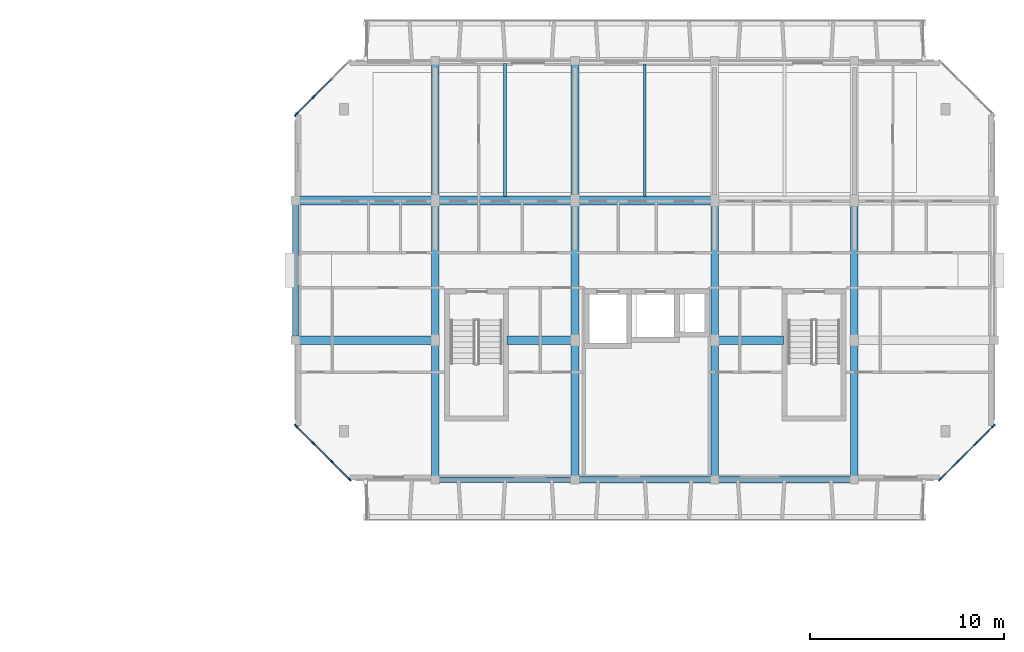
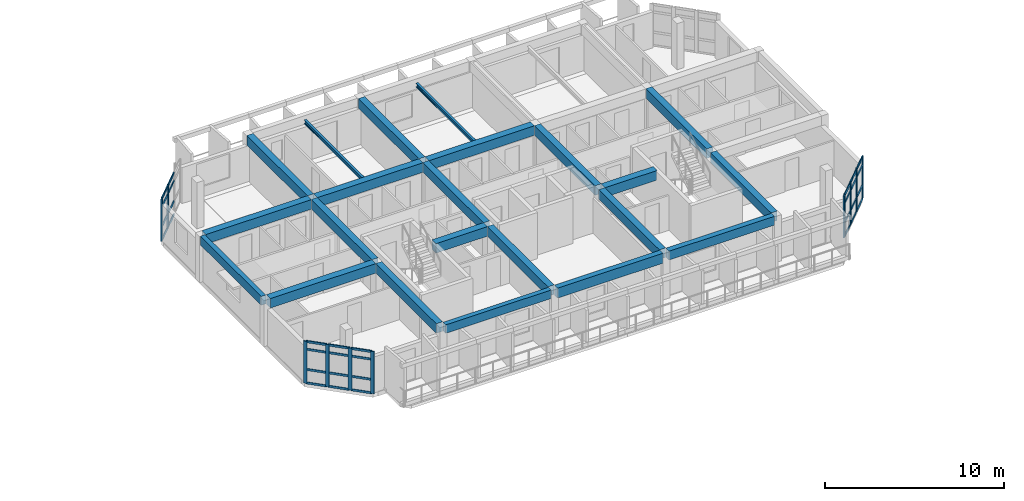
# One storey, part 7 of 31: 42 members, 22 beams, 3 elements without a shape of their own.
"""IFC4 building model written with IfcOpenShell, lengths in metres."""

from ifc_helpers import new_model, si_unit, direction, frame, origin, origin_2d, place, context, subcontext, project, spatial, rectangle, i_section, extrude, material, layer, layer_set, material_profile, profile_set, type_object, element, aggregate, save


model = new_model("IFC4")

# Units and contexts
model_context = context("Model", 3, precision=1e-05, world=origin(), true_north=direction((0.0, 1.0)))
body_context = subcontext(model_context, "Body", "Model", "MODEL_VIEW")
ifc_project = project(units=[si_unit("LENGTHUNIT", "METRE"), si_unit("AREAUNIT", "SQUARE_METRE"), si_unit("VOLUMEUNIT", "CUBIC_METRE"), si_unit("PLANEANGLEUNIT", "RADIAN"), si_unit("MASSUNIT", "GRAM", prefix="KILO")], contexts=[model_context])

# Site, building, storey
site_placement = place(None, origin())
site = spatial("IfcSite", under=ifc_project, at=site_placement, CompositionType="ELEMENT")
building_placement = place(site_placement, origin())
building = spatial("IfcBuilding", under=site, at=building_placement, Name="Ochrevale Crest", CompositionType="ELEMENT")
storey_placement = place(building_placement, frame((0.0, 0.0, 37.050048828125)))
storey = spatial("IfcBuildingStorey", under=building, at=storey_placement, Name="L11", CompositionType="ELEMENT", Elevation=37.050048828125)

# Beams
ifc_material_1 = material(Name="Precast concrete C50/60", Category="concrete")
ifc_material_profile_1 = material_profile(ifc_material_1, rectangle(XDim=0.39990234375, YDim=0.64990234375, at=origin_2d()), Name="PC 400x650")
ifc_profile_set_1 = profile_set([ifc_material_profile_1], Name="Precast concrete C50/60")
beam_type_1 = type_object("IfcBeamType", Name="BM-PC400x650", PredefinedType="BEAM", material=ifc_profile_set_1)
for number, where, z_axis, x_axis, name in (
    (1, (136.800048828125, 72.205078125, 2.824951171875), (0.0, 1.0, 0.0), (-1.0, 0.0, 0.0), "Block D L11 N-S beam X=136.8"),
    (2, (136.800048828125, 79.405029296875, 2.824951171875), (0.0, 1.0, 0.0), (-1.0, 0.0, 0.0), "Block D L11 N-S beam X=136.8"),
    (3, (136.800048828125, 86.60498046875, 2.824951171875), (0.0, 1.0, 0.0), (-1.0, 0.0, 0.0), "Block D L11 N-S beam X=136.8"),
    (4, (144.0, 72.205078125, 2.824951171875), (0.0, 1.0, 0.0), (-1.0, 0.0, 0.0), "Block D L11 N-S beam X=144.0"),
    (5, (144.0, 79.405029296875, 2.824951171875), (0.0, 1.0, 0.0), (-1.0, 0.0, 0.0), "Block D L11 N-S beam X=144.0"),
    (6, (144.0, 86.60498046875, 2.824951171875), (0.0, 1.0, 0.0), (-1.0, 0.0, 0.0), "Block D L11 N-S beam X=144.0"),
    (7, (151.199951171875, 72.205078125, 2.824951171875), (0.0, 1.0, 0.0), (-1.0, 0.0, 0.0), "Block D L11 N-S beam X=151.2"),
    (8, (151.199951171875, 79.405029296875, 2.824951171875), (0.0, 1.0, 0.0), (-1.0, 0.0, 0.0), "Block D L11 N-S beam X=151.2"),
    (9, (158.39990234375, 72.205078125, 2.824951171875), (0.0, 1.0, 0.0), (-1.0, 0.0, 0.0), "Block D L11 N-S beam X=158.4"),
    (10, (158.39990234375, 79.405029296875, 2.824951171875), (0.0, 1.0, 0.0), (-1.0, 0.0, 0.0), "Block D L11 N-S beam X=158.4"),
):
    element("IfcBeam", number, at=place(storey_placement, frame(where, z_axis=z_axis, x_axis=x_axis)), inside=storey, type_object=beam_type_1, Name=name, PredefinedType="BEAM", context=body_context, shape_type="SweptSolid", body=[
        extrude(rectangle(XDim=0.39990234375, YDim=0.64990234375, at=origin_2d()), origin(), (0.0, 0.0, 1.0), 6.7900390625),
    ])
ifc_material_2 = material(Name="Concrete C50/60", Category="concrete")
ifc_material_profile_2 = material_profile(ifc_material_2, rectangle(XDim=0.449951171875, YDim=0.64990234375, at=origin_2d()), Name="RC 450x650")
ifc_profile_set_2 = profile_set([ifc_material_profile_2], Name="Concrete C50/60")
beam_type_2 = type_object("IfcBeamType", Name="BM-PG450x650", PredefinedType="USERDEFINED", material=ifc_profile_set_2)
beam_1_placement = place(storey_placement, frame((129.800048828125, 79.199951171875, 2.824951171875), z_axis=(1.0, 0.0, 0.0), x_axis=(0.0, 1.0, 0.0)))
element("IfcBeam", 11, at=beam_1_placement, inside=storey, type_object=beam_type_2, Name="Block D L11 E-W beam Y=79.2", ObjectType="GIRDER", PredefinedType="USERDEFINED", context=body_context, shape_type="SweptSolid", body=[
    extrude(rectangle(XDim=0.449951171875, YDim=0.64990234375, at=origin_2d()), origin(), (0.0, 0.0, 1.0), 6.800048828125),
])
beam_2_placement = place(storey_placement, frame((140.489990234375, 79.199951171875, 2.824951171875), z_axis=(1.0, 0.0, 0.0), x_axis=(0.0, 1.0, 0.0)))
element("IfcBeam", 12, at=beam_2_placement, inside=storey, type_object=beam_type_2, Name="Block D L11 E-W beam Y=79.2", ObjectType="GIRDER", PredefinedType="USERDEFINED", context=body_context, shape_type="SweptSolid", body=[
    extrude(rectangle(XDim=0.449951171875, YDim=0.64990234375, at=origin_2d()), origin(), (0.0, 0.0, 1.0), 3.31005859375),
])
beam_3_placement = place(storey_placement, frame((151.39990234375, 79.199951171875, 2.824951171875), z_axis=(1.0, 0.0, 0.0), x_axis=(0.0, 1.0, 0.0)))
element("IfcBeam", 13, at=beam_3_placement, inside=storey, type_object=beam_type_2, Name="Block D L11 E-W beam Y=79.2", ObjectType="GIRDER", PredefinedType="USERDEFINED", context=body_context, shape_type="SweptSolid", body=[
    extrude(rectangle(XDim=0.449951171875, YDim=0.64990234375, at=origin_2d()), origin(), (0.0, 0.0, 1.0), 3.360107421875),
])
for number, where, z_axis, x_axis, name in (
    (14, (129.800048828125, 86.39990234375, 2.824951171875), (1.0, 0.0, 0.0), (0.0, 1.0, 0.0), "Block D L11 E-W beam Y=86.4"),
    (15, (137.0, 86.39990234375, 2.824951171875), (1.0, 0.0, 0.0), (0.0, 1.0, 0.0), "Block D L11 E-W beam Y=86.4"),
    (16, (144.199951171875, 86.39990234375, 2.824951171875), (1.0, 0.0, 0.0), (0.0, 1.0, 0.0), "Block D L11 E-W beam Y=86.4"),
):
    element("IfcBeam", number, at=place(storey_placement, frame(where, z_axis=z_axis, x_axis=x_axis)), inside=storey, type_object=beam_type_2, Name=name, ObjectType="GIRDER", PredefinedType="USERDEFINED", context=body_context, shape_type="SweptSolid", body=[
        extrude(rectangle(XDim=0.449951171875, YDim=0.64990234375, at=origin_2d()), origin(), (0.0, 0.0, 1.0), 6.800048828125),
    ])
ifc_material_3 = material(Name="Precast concrete C40/50", Category="concrete")
ifc_material_profile_3 = material_profile(ifc_material_3, rectangle(XDim=0.300048828125, YDim=0.580078125, at=origin_2d()), Name="PC 300x580")
ifc_profile_set_3 = profile_set([ifc_material_profile_3], Name="Precast concrete C40/50")
beam_type_3 = type_object("IfcBeamType", Name="BM-SP300x580", PredefinedType="SPANDREL", material=ifc_profile_set_3)
beam_4_placement = place(storey_placement, frame((137.0, 72.0, 2.85986328125), z_axis=(1.0, 0.0, 0.0), x_axis=(0.0, 1.0, 0.0)))
element("IfcBeam", 17, at=beam_4_placement, inside=storey, type_object=beam_type_3, Name="Block D L11 E-W beam Y=72.0", PredefinedType="SPANDREL", context=body_context, shape_type="SweptSolid", body=[
    extrude(rectangle(XDim=0.300048828125, YDim=0.580078125, at=origin_2d()), origin(), (0.0, 0.0, 1.0), 6.800048828125),
])
ifc_material_profile_4 = material_profile(ifc_material_3, rectangle(XDim=0.300048828125, YDim=0.60009765625, at=origin_2d()), Name="PC 300x600")
ifc_profile_set_4 = profile_set([ifc_material_profile_4], Name="Precast concrete C40/50")
beam_type_4 = type_object("IfcBeamType", Name="BM-SP300x600", PredefinedType="SPANDREL", material=ifc_profile_set_4)
beam_5_placement = place(storey_placement, frame((129.60009765625, 79.405029296875, 2.849853515625), z_axis=(0.0, 1.0, 0.0), x_axis=(-1.0, 0.0, 0.0)))
element("IfcBeam", 18, at=beam_5_placement, inside=storey, type_object=beam_type_4, Name="Block D L11 N-S beam X=129.6", PredefinedType="SPANDREL", context=body_context, shape_type="SweptSolid", body=[
    extrude(rectangle(XDim=0.300048828125, YDim=0.60009765625, at=origin_2d()), origin(), (0.0, 0.0, 1.0), 6.7900390625),
])
ifc_material_profile_5 = material_profile(ifc_material_3, rectangle(XDim=0.35009765625, YDim=0.60009765625, at=origin_2d()), Name="PC 350x600")
ifc_profile_set_5 = profile_set([ifc_material_profile_5], Name="Precast concrete C40/50")
beam_type_5 = type_object("IfcBeamType", Name="BM-SP350x600", PredefinedType="SPANDREL", material=ifc_profile_set_5)
beam_6_placement = place(storey_placement, frame((151.39990234375, 72.0, 2.849853515625), z_axis=(1.0, 0.0, 0.0), x_axis=(0.0, 1.0, 0.0)))
element("IfcBeam", 19, at=beam_6_placement, inside=storey, type_object=beam_type_5, Name="Block D L11 E-W beam Y=72.0", PredefinedType="SPANDREL", context=body_context, shape_type="SweptSolid", body=[
    extrude(rectangle(XDim=0.35009765625, YDim=0.60009765625, at=origin_2d()), origin(), (0.0, 0.0, 1.0), 6.800048828125),
])
ifc_material_profile_6 = material_profile(ifc_material_3, rectangle(XDim=0.35009765625, YDim=0.679931640625, at=origin_2d()), Name="PC 350x680")
ifc_profile_set_6 = profile_set([ifc_material_profile_6], Name="Precast concrete C40/50")
beam_type_6 = type_object("IfcBeamType", Name="BM-SP350x680", PredefinedType="SPANDREL", material=ifc_profile_set_6)
beam_7_placement = place(storey_placement, frame((144.199951171875, 72.0, 2.81005859375), z_axis=(1.0, 0.0, 0.0), x_axis=(0.0, 1.0, 0.0)))
element("IfcBeam", 20, at=beam_7_placement, inside=storey, type_object=beam_type_6, Name="Block D L11 E-W beam Y=72.0", PredefinedType="SPANDREL", context=body_context, shape_type="SweptSolid", body=[
    extrude(rectangle(XDim=0.35009765625, YDim=0.679931640625, at=origin_2d()), origin(), (0.0, 0.0, 1.0), 6.800048828125),
])
ifc_material_4 = material(Name="Steel S355", Category="steel")
ifc_material_profile_7 = material_profile(ifc_material_4, i_section(OverallWidth=0.14599609375, OverallDepth=0.251708984375, WebThickness=0.006103515625, FlangeThickness=0.008544921875, FilletRadius=0.0087890625, at=origin_2d()), Name="250UB31.4")
ifc_profile_set_7 = profile_set([ifc_material_profile_7], Name="Steel S355")
beam_type_7 = type_object("IfcBeamType", Name="BM-UB250A", PredefinedType="JOIST", material=ifc_profile_set_7)
beam_8_placement = place(storey_placement, frame((140.39990234375, 86.613037109375, 2.749267578125), z_axis=(0.0, 1.0, 0.0), x_axis=(-1.0, 0.0, 0.0)))
element("IfcBeam", 21, at=beam_8_placement, inside=storey, type_object=beam_type_7, Name="Block D L11 composite plank trimmer beam 2", PredefinedType="JOIST", context=body_context, shape_type="SweptSolid", body=[
    extrude(i_section(OverallWidth=0.14599609375, OverallDepth=0.251708984375, WebThickness=0.006103515625, FlangeThickness=0.008544921875, FilletRadius=0.0087890625, at=origin_2d()), origin(), (0.0, 0.0, 1.0), 6.848876953125),
])
ifc_material_profile_8 = material_profile(ifc_material_4, i_section(OverallWidth=0.146484375, OverallDepth=0.256103515625, WebThickness=0.00634765625, FlangeThickness=0.010986328125, FilletRadius=0.0087890625, at=origin_2d()), Name="250UB37.3")
ifc_profile_set_8 = profile_set([ifc_material_profile_8], Name="Steel S355")
beam_type_8 = type_object("IfcBeamType", Name="BM-UB250B", PredefinedType="JOIST", material=ifc_profile_set_8)
beam_9_placement = place(storey_placement, frame((147.60009765625, 86.613037109375, 2.746826171875), z_axis=(0.0, 1.0, 0.0), x_axis=(-1.0, 0.0, 0.0)))
element("IfcBeam", 22, at=beam_9_placement, inside=storey, type_object=beam_type_8, Name="Block D L11 composite plank trimmer beam 3", PredefinedType="JOIST", context=body_context, shape_type="SweptSolid", body=[
    extrude(i_section(OverallWidth=0.146484375, OverallDepth=0.256103515625, WebThickness=0.00634765625, FlangeThickness=0.010986328125, FilletRadius=0.0087890625, at=origin_2d()), origin(), (0.0, 0.0, 1.0), 6.823974609375),
])

# Curtain wall, members
ifc_material_5 = material(Name="Anodised aluminium 6063-T5", Category="aluminium")
ifc_layer_1 = layer(ifc_material_5, 0.14990234375)
ifc_layer_set_1 = layer_set([ifc_layer_1], Name="Anodised aluminium 6063-T5")
curtain_wall_type_1 = type_object("IfcCurtainWallType", Name="CW-WG-360x285", PredefinedType="NOTDEFINED", material=ifc_layer_set_1)
curtain_wall_1_placement = place(storey_placement, origin())
curtain_wall_1 = element("IfcCurtainWall", 23, at=curtain_wall_1_placement, inside=storey, type_object=curtain_wall_type_1, Name="Block D L11 chamfered corner wintergarden curtain wall 2", PredefinedType="NOTDEFINED")
ifc_material_profile_9 = material_profile(ifc_material_5, rectangle(XDim=0.074951171875, YDim=0.219970703125, at=origin_2d()), Name="ALU 75x220")
ifc_profile_set_9 = profile_set([ifc_material_profile_9], Name="Anodised aluminium 6063-T5")
member_type_1 = type_object("IfcMemberType", Name="CW-MUL-75x220", PredefinedType="MULLION", material=ifc_profile_set_9)
member_1_placement = place(storey_placement, frame((162.826416015625, 72.026611328125, 0.0), z_axis=(0.0, 0.0, 1.0), x_axis=(-0.707106781187, 0.707106781187, 0.0)))
member_1 = element("IfcMember", 24, at=member_1_placement, type_object=member_type_1, Name="CW18 mullion 1", PredefinedType="MULLION", context=body_context, shape_type="SweptSolid", body=[
    extrude(rectangle(XDim=0.074951171875, YDim=0.219970703125, at=origin_2d()), origin(), (0.0, 0.0, 1.0), 2.875),
])
member_2_placement = place(storey_placement, frame((163.7333984375, 72.933349609375, 0.0), z_axis=(0.0, 0.0, 1.0), x_axis=(-0.707106781187, 0.707106781187, 0.0)))
member_2 = element("IfcMember", 25, at=member_2_placement, type_object=member_type_1, Name="CW18 mullion 2", PredefinedType="MULLION", context=body_context, shape_type="SweptSolid", body=[
    extrude(rectangle(XDim=0.074951171875, YDim=0.219970703125, at=origin_2d()), origin(), (0.0, 0.0, 1.0), 2.875),
])
member_3_placement = place(storey_placement, frame((164.666748046875, 73.86669921875, 0.0), z_axis=(0.0, 0.0, 1.0), x_axis=(-0.707106781187, 0.707106781187, 0.0)))
member_3 = element("IfcMember", 26, at=member_3_placement, type_object=member_type_1, Name="CW18 mullion 3", PredefinedType="MULLION", context=body_context, shape_type="SweptSolid", body=[
    extrude(rectangle(XDim=0.074951171875, YDim=0.219970703125, at=origin_2d()), origin(), (0.0, 0.0, 1.0), 2.875),
])
member_4_placement = place(storey_placement, frame((165.573486328125, 74.7734375, 0.0), z_axis=(0.0, 0.0, 1.0), x_axis=(-0.707106781187, 0.707106781187, 0.0)))
member_4 = element("IfcMember", 27, at=member_4_placement, type_object=member_type_1, Name="CW18 mullion 4", PredefinedType="MULLION", context=body_context, shape_type="SweptSolid", body=[
    extrude(rectangle(XDim=0.074951171875, YDim=0.219970703125, at=origin_2d()), origin(), (0.0, 0.0, 1.0), 2.875),
])

ifc_layer_2 = layer(ifc_material_5, 0.14990234375)
ifc_layer_set_2 = layer_set([ifc_layer_2], Name="Anodised aluminium 6063-T5")
curtain_wall_type_2 = type_object("IfcCurtainWallType", Name="CW-WG-320x285", PredefinedType="NOTDEFINED", material=ifc_layer_set_2)
curtain_wall_2_placement = place(storey_placement, origin())
curtain_wall_2 = element("IfcCurtainWall", 28, at=curtain_wall_2_placement, inside=storey, type_object=curtain_wall_type_2, Name="Block D L11 chamfered corner wintergarden curtain wall 6", PredefinedType="NOTDEFINED")
member_5_placement = place(storey_placement, frame((130.533447265625, 91.7333984375, 0.0), z_axis=(0.0, 0.0, 1.0), x_axis=(0.707106781187, -0.707106781187, 0.0)))
member_5 = element("IfcMember", 29, at=member_5_placement, type_object=member_type_1, Name="CW17 mullion 3", PredefinedType="MULLION", context=body_context, shape_type="SweptSolid", body=[
    extrude(rectangle(XDim=0.074951171875, YDim=0.219970703125, at=origin_2d()), origin(), (0.0, 0.0, 1.0), 2.875),
])
member_6_placement = place(storey_placement, frame((129.62646484375, 90.826416015625, 0.0), z_axis=(0.0, 0.0, 1.0), x_axis=(0.707106781187, -0.707106781187, 0.0)))
member_6 = element("IfcMember", 30, at=member_6_placement, type_object=member_type_1, Name="CW17 mullion 4", PredefinedType="MULLION", context=body_context, shape_type="SweptSolid", body=[
    extrude(rectangle(XDim=0.074951171875, YDim=0.219970703125, at=origin_2d()), origin(), (0.0, 0.0, 1.0), 2.875),
])

ifc_layer_3 = layer(ifc_material_5, 0.14990234375)
ifc_layer_set_3 = layer_set([ifc_layer_3], Name="Anodised aluminium 6063-T5")
curtain_wall_type_3 = type_object("IfcCurtainWallType", Name="CW-WG-420x285", PredefinedType="NOTDEFINED", material=ifc_layer_set_3)
curtain_wall_3_placement = place(storey_placement, origin())
curtain_wall_3 = element("IfcCurtainWall", 31, at=curtain_wall_3_placement, inside=storey, type_object=curtain_wall_type_3, Name="Block D L11 chamfered corner wintergarden curtain wall 8", PredefinedType="NOTDEFINED")
member_7_placement = place(storey_placement, frame((129.62646484375, 74.7734375, 0.0), z_axis=(0.0, 0.0, 1.0), x_axis=(0.707106781187, 0.707106781187, 0.0)))
member_7 = element("IfcMember", 32, at=member_7_placement, type_object=member_type_1, Name="CW22 mullion 1", PredefinedType="MULLION", context=body_context, shape_type="SweptSolid", body=[
    extrude(rectangle(XDim=0.074951171875, YDim=0.219970703125, at=origin_2d()), origin(), (0.0, 0.0, 1.0), 2.875),
])
member_8_placement = place(storey_placement, frame((130.533447265625, 73.86669921875, 0.0), z_axis=(0.0, 0.0, 1.0), x_axis=(0.707106781187, 0.707106781187, 0.0)))
member_8 = element("IfcMember", 33, at=member_8_placement, type_object=member_type_1, Name="CW22 mullion 2", PredefinedType="MULLION", context=body_context, shape_type="SweptSolid", body=[
    extrude(rectangle(XDim=0.074951171875, YDim=0.219970703125, at=origin_2d()), origin(), (0.0, 0.0, 1.0), 2.875),
])
member_9_placement = place(storey_placement, frame((131.466552734375, 72.933349609375, 0.0), z_axis=(0.0, 0.0, 1.0), x_axis=(0.707106781187, 0.707106781187, 0.0)))
member_9 = element("IfcMember", 34, at=member_9_placement, type_object=member_type_1, Name="CW22 mullion 3", PredefinedType="MULLION", context=body_context, shape_type="SweptSolid", body=[
    extrude(rectangle(XDim=0.074951171875, YDim=0.219970703125, at=origin_2d()), origin(), (0.0, 0.0, 1.0), 2.875),
])
member_10_placement = place(storey_placement, frame((132.37353515625, 72.026611328125, 0.0), z_axis=(0.0, 0.0, 1.0), x_axis=(0.707106781187, 0.707106781187, 0.0)))
member_10 = element("IfcMember", 35, at=member_10_placement, type_object=member_type_1, Name="CW22 mullion 4", PredefinedType="MULLION", context=body_context, shape_type="SweptSolid", body=[
    extrude(rectangle(XDim=0.074951171875, YDim=0.219970703125, at=origin_2d()), origin(), (0.0, 0.0, 1.0), 2.875),
])

# Member
ifc_material_profile_10 = material_profile(ifc_material_5, rectangle(XDim=0.06005859375, YDim=0.14990234375, at=origin_2d()), Name="ALU 60x150")
ifc_profile_set_10 = profile_set([ifc_material_profile_10], Name="Anodised aluminium 6063-T5")
member_type_2 = type_object("IfcMemberType", Name="CW-TRN-60x150", PredefinedType="USERDEFINED", material=ifc_profile_set_10)
member_11_placement = place(storey_placement, frame((162.85302734375, 72.052978515625, 0.030029296875), z_axis=(0.707106781187, 0.707106781187, 0.0), x_axis=(-0.707106781187, 0.707106781187, 0.0)))
member_11 = element("IfcMember", 36, at=member_11_placement, type_object=member_type_2, Name="CW18 transom 1.1", ObjectType="TRANSOM", PredefinedType="USERDEFINED", context=body_context, shape_type="SweptSolid", body=[
    extrude(rectangle(XDim=0.06005859375, YDim=0.14990234375, at=origin_2d()), origin(), (0.0, 0.0, 1.0), 1.20751953125),
])

member_12_placement = place(storey_placement, frame((162.85302734375, 72.052978515625, 0.949951171875), z_axis=(0.707106781187, 0.707106781187, 0.0), x_axis=(-0.707106781187, 0.707106781187, 0.0)))
member_12 = element("IfcMember", 37, at=member_12_placement, type_object=member_type_2, Name="CW18 transom 1.2", ObjectType="TRANSOM", PredefinedType="USERDEFINED", context=body_context, shape_type="SweptSolid", body=[
    extrude(rectangle(XDim=0.06005859375, YDim=0.14990234375, at=origin_2d()), origin(), (0.0, 0.0, 1.0), 1.20751953125),
])

member_13_placement = place(storey_placement, frame((162.85302734375, 72.052978515625, 2.324951171875), z_axis=(0.707106781187, 0.707106781187, 0.0), x_axis=(-0.707106781187, 0.707106781187, 0.0)))
member_13 = element("IfcMember", 38, at=member_13_placement, type_object=member_type_2, Name="CW18 transom 1.3", ObjectType="TRANSOM", PredefinedType="USERDEFINED", context=body_context, shape_type="SweptSolid", body=[
    extrude(rectangle(XDim=0.06005859375, YDim=0.14990234375, at=origin_2d()), origin(), (0.0, 0.0, 1.0), 1.20751953125),
])

member_14_placement = place(storey_placement, frame((162.85302734375, 72.052978515625, 2.844970703125), z_axis=(0.707106781187, 0.707106781187, 0.0), x_axis=(-0.707106781187, 0.707106781187, 0.0)))
member_14 = element("IfcMember", 39, at=member_14_placement, type_object=member_type_2, Name="CW18 transom 1.4", ObjectType="TRANSOM", PredefinedType="USERDEFINED", context=body_context, shape_type="SweptSolid", body=[
    extrude(rectangle(XDim=0.06005859375, YDim=0.14990234375, at=origin_2d()), origin(), (0.0, 0.0, 1.0), 1.20751953125),
])

member_15_placement = place(storey_placement, frame((163.759765625, 72.9599609375, 0.030029296875), z_axis=(0.707204833848, 0.707008714926, 0.0), x_axis=(-0.707008714926, 0.707204833848, 0.0)))
member_15 = element("IfcMember", 40, at=member_15_placement, type_object=member_type_2, Name="CW18 transom 2.1", ObjectType="TRANSOM", PredefinedType="USERDEFINED", context=body_context, shape_type="SweptSolid", body=[
    extrude(rectangle(XDim=0.06005859375, YDim=0.14990234375, at=origin_2d()), origin(), (0.0, 0.0, 1.0), 1.244873046875),
])

member_16_placement = place(storey_placement, frame((163.759765625, 72.9599609375, 0.949951171875), z_axis=(0.707204833848, 0.707008714926, 0.0), x_axis=(-0.707008714926, 0.707204833848, 0.0)))
member_16 = element("IfcMember", 41, at=member_16_placement, type_object=member_type_2, Name="CW18 transom 2.2", ObjectType="TRANSOM", PredefinedType="USERDEFINED", context=body_context, shape_type="SweptSolid", body=[
    extrude(rectangle(XDim=0.06005859375, YDim=0.14990234375, at=origin_2d()), origin(), (0.0, 0.0, 1.0), 1.244873046875),
])

member_17_placement = place(storey_placement, frame((163.759765625, 72.9599609375, 2.324951171875), z_axis=(0.707204833848, 0.707008714926, 0.0), x_axis=(-0.707008714926, 0.707204833848, 0.0)))
member_17 = element("IfcMember", 42, at=member_17_placement, type_object=member_type_2, Name="CW18 transom 2.3", ObjectType="TRANSOM", PredefinedType="USERDEFINED", context=body_context, shape_type="SweptSolid", body=[
    extrude(rectangle(XDim=0.06005859375, YDim=0.14990234375, at=origin_2d()), origin(), (0.0, 0.0, 1.0), 1.244873046875),
])

member_18_placement = place(storey_placement, frame((163.759765625, 72.9599609375, 2.844970703125), z_axis=(0.707204833848, 0.707008714926, 0.0), x_axis=(-0.707008714926, 0.707204833848, 0.0)))
member_18 = element("IfcMember", 43, at=member_18_placement, type_object=member_type_2, Name="CW18 transom 2.4", ObjectType="TRANSOM", PredefinedType="USERDEFINED", context=body_context, shape_type="SweptSolid", body=[
    extrude(rectangle(XDim=0.06005859375, YDim=0.14990234375, at=origin_2d()), origin(), (0.0, 0.0, 1.0), 1.244873046875),
])

member_19_placement = place(storey_placement, frame((164.693115234375, 73.89306640625, 0.030029296875), z_axis=(0.707005686502, 0.70720786142, 0.0), x_axis=(-0.70720786142, 0.707005686502, 0.0)))
member_19 = element("IfcMember", 44, at=member_19_placement, type_object=member_type_2, Name="CW18 transom 3.1", ObjectType="TRANSOM", PredefinedType="USERDEFINED", context=body_context, shape_type="SweptSolid", body=[
    extrude(rectangle(XDim=0.06005859375, YDim=0.14990234375, at=origin_2d()), origin(), (0.0, 0.0, 1.0), 1.20751953125),
])

member_20_placement = place(storey_placement, frame((164.693115234375, 73.89306640625, 0.949951171875), z_axis=(0.707005686502, 0.70720786142, 0.0), x_axis=(-0.70720786142, 0.707005686502, 0.0)))
member_20 = element("IfcMember", 45, at=member_20_placement, type_object=member_type_2, Name="CW18 transom 3.2", ObjectType="TRANSOM", PredefinedType="USERDEFINED", context=body_context, shape_type="SweptSolid", body=[
    extrude(rectangle(XDim=0.06005859375, YDim=0.14990234375, at=origin_2d()), origin(), (0.0, 0.0, 1.0), 1.20751953125),
])

member_21_placement = place(storey_placement, frame((164.693115234375, 73.89306640625, 2.324951171875), z_axis=(0.707005686502, 0.70720786142, 0.0), x_axis=(-0.70720786142, 0.707005686502, 0.0)))
member_21 = element("IfcMember", 46, at=member_21_placement, type_object=member_type_2, Name="CW18 transom 3.3", ObjectType="TRANSOM", PredefinedType="USERDEFINED", context=body_context, shape_type="SweptSolid", body=[
    extrude(rectangle(XDim=0.06005859375, YDim=0.14990234375, at=origin_2d()), origin(), (0.0, 0.0, 1.0), 1.20751953125),
])

member_22_placement = place(storey_placement, frame((164.693115234375, 73.89306640625, 2.844970703125), z_axis=(0.707005686502, 0.70720786142, 0.0), x_axis=(-0.70720786142, 0.707005686502, 0.0)))
member_22 = element("IfcMember", 47, at=member_22_placement, type_object=member_type_2, Name="CW18 transom 3.4", ObjectType="TRANSOM", PredefinedType="USERDEFINED", context=body_context, shape_type="SweptSolid", body=[
    extrude(rectangle(XDim=0.06005859375, YDim=0.14990234375, at=origin_2d()), origin(), (0.0, 0.0, 1.0), 1.20751953125),
])

aggregate(curtain_wall_1, [member_1, member_2, member_3, member_4, member_11, member_12, member_13, member_14, member_15, member_16, member_17, member_18, member_19, member_20, member_21, member_22])

member_23_placement = place(storey_placement, frame((131.440185546875, 92.64013671875, 0.030029296875), z_axis=(-0.707106781187, -0.707106781187, 0.0), x_axis=(0.707106781187, -0.707106781187, 0.0)))
member_23 = element("IfcMember", 48, at=member_23_placement, type_object=member_type_2, Name="CW17 transom 2.1", ObjectType="TRANSOM", PredefinedType="USERDEFINED", context=body_context, shape_type="SweptSolid", body=[
    extrude(rectangle(XDim=0.06005859375, YDim=0.14990234375, at=origin_2d()), origin(), (0.0, 0.0, 1.0), 1.2451171875),
])

member_24_placement = place(storey_placement, frame((131.440185546875, 92.64013671875, 0.949951171875), z_axis=(-0.707106781187, -0.707106781187, 0.0), x_axis=(0.707106781187, -0.707106781187, 0.0)))
member_24 = element("IfcMember", 49, at=member_24_placement, type_object=member_type_2, Name="CW17 transom 2.2", ObjectType="TRANSOM", PredefinedType="USERDEFINED", context=body_context, shape_type="SweptSolid", body=[
    extrude(rectangle(XDim=0.06005859375, YDim=0.14990234375, at=origin_2d()), origin(), (0.0, 0.0, 1.0), 1.2451171875),
])

member_25_placement = place(storey_placement, frame((131.440185546875, 92.64013671875, 2.324951171875), z_axis=(-0.707106781187, -0.707106781187, 0.0), x_axis=(0.707106781187, -0.707106781187, 0.0)))
member_25 = element("IfcMember", 50, at=member_25_placement, type_object=member_type_2, Name="CW17 transom 2.3", ObjectType="TRANSOM", PredefinedType="USERDEFINED", context=body_context, shape_type="SweptSolid", body=[
    extrude(rectangle(XDim=0.06005859375, YDim=0.14990234375, at=origin_2d()), origin(), (0.0, 0.0, 1.0), 1.2451171875),
])

member_26_placement = place(storey_placement, frame((131.440185546875, 92.64013671875, 2.844970703125), z_axis=(-0.707106781187, -0.707106781187, 0.0), x_axis=(0.707106781187, -0.707106781187, 0.0)))
member_26 = element("IfcMember", 51, at=member_26_placement, type_object=member_type_2, Name="CW17 transom 2.4", ObjectType="TRANSOM", PredefinedType="USERDEFINED", context=body_context, shape_type="SweptSolid", body=[
    extrude(rectangle(XDim=0.06005859375, YDim=0.14990234375, at=origin_2d()), origin(), (0.0, 0.0, 1.0), 1.2451171875),
])

member_27_placement = place(storey_placement, frame((130.5068359375, 91.706787109375, 0.030029296875), z_axis=(-0.707106781187, -0.707106781187, 0.0), x_axis=(0.707106781187, -0.707106781187, 0.0)))
member_27 = element("IfcMember", 52, at=member_27_placement, type_object=member_type_2, Name="CW17 transom 3.1", ObjectType="TRANSOM", PredefinedType="USERDEFINED", context=body_context, shape_type="SweptSolid", body=[
    extrude(rectangle(XDim=0.06005859375, YDim=0.14990234375, at=origin_2d()), origin(), (0.0, 0.0, 1.0), 1.20751953125),
])

member_28_placement = place(storey_placement, frame((130.5068359375, 91.706787109375, 0.949951171875), z_axis=(-0.707106781187, -0.707106781187, 0.0), x_axis=(0.707106781187, -0.707106781187, 0.0)))
member_28 = element("IfcMember", 53, at=member_28_placement, type_object=member_type_2, Name="CW17 transom 3.2", ObjectType="TRANSOM", PredefinedType="USERDEFINED", context=body_context, shape_type="SweptSolid", body=[
    extrude(rectangle(XDim=0.06005859375, YDim=0.14990234375, at=origin_2d()), origin(), (0.0, 0.0, 1.0), 1.20751953125),
])

member_29_placement = place(storey_placement, frame((130.5068359375, 91.706787109375, 2.324951171875), z_axis=(-0.707106781187, -0.707106781187, 0.0), x_axis=(0.707106781187, -0.707106781187, 0.0)))
member_29 = element("IfcMember", 54, at=member_29_placement, type_object=member_type_2, Name="CW17 transom 3.3", ObjectType="TRANSOM", PredefinedType="USERDEFINED", context=body_context, shape_type="SweptSolid", body=[
    extrude(rectangle(XDim=0.06005859375, YDim=0.14990234375, at=origin_2d()), origin(), (0.0, 0.0, 1.0), 1.20751953125),
])

member_30_placement = place(storey_placement, frame((130.5068359375, 91.706787109375, 2.844970703125), z_axis=(-0.707106781187, -0.707106781187, 0.0), x_axis=(0.707106781187, -0.707106781187, 0.0)))
member_30 = element("IfcMember", 55, at=member_30_placement, type_object=member_type_2, Name="CW17 transom 3.4", ObjectType="TRANSOM", PredefinedType="USERDEFINED", context=body_context, shape_type="SweptSolid", body=[
    extrude(rectangle(XDim=0.06005859375, YDim=0.14990234375, at=origin_2d()), origin(), (0.0, 0.0, 1.0), 1.20751953125),
])

aggregate(curtain_wall_2, [member_5, member_6, member_23, member_24, member_25, member_26, member_27, member_28, member_29, member_30])

member_31_placement = place(storey_placement, frame((129.653076171875, 74.7470703125, 0.030029296875), z_axis=(0.707005686502, -0.70720786142, 0.0), x_axis=(0.70720786142, 0.707005686502, 0.0)))
member_31 = element("IfcMember", 56, at=member_31_placement, type_object=member_type_2, Name="CW22 transom 1.1", ObjectType="TRANSOM", PredefinedType="USERDEFINED", context=body_context, shape_type="SweptSolid", body=[
    extrude(rectangle(XDim=0.06005859375, YDim=0.14990234375, at=origin_2d()), origin(), (0.0, 0.0, 1.0), 1.20751953125),
])

member_32_placement = place(storey_placement, frame((129.653076171875, 74.7470703125, 0.949951171875), z_axis=(0.707005686502, -0.70720786142, 0.0), x_axis=(0.70720786142, 0.707005686502, 0.0)))
member_32 = element("IfcMember", 57, at=member_32_placement, type_object=member_type_2, Name="CW22 transom 1.2", ObjectType="TRANSOM", PredefinedType="USERDEFINED", context=body_context, shape_type="SweptSolid", body=[
    extrude(rectangle(XDim=0.06005859375, YDim=0.14990234375, at=origin_2d()), origin(), (0.0, 0.0, 1.0), 1.20751953125),
])

member_33_placement = place(storey_placement, frame((129.653076171875, 74.7470703125, 2.324951171875), z_axis=(0.707005686502, -0.70720786142, 0.0), x_axis=(0.70720786142, 0.707005686502, 0.0)))
member_33 = element("IfcMember", 58, at=member_33_placement, type_object=member_type_2, Name="CW22 transom 1.3", ObjectType="TRANSOM", PredefinedType="USERDEFINED", context=body_context, shape_type="SweptSolid", body=[
    extrude(rectangle(XDim=0.06005859375, YDim=0.14990234375, at=origin_2d()), origin(), (0.0, 0.0, 1.0), 1.20751953125),
])

member_34_placement = place(storey_placement, frame((129.653076171875, 74.7470703125, 2.844970703125), z_axis=(0.707005686502, -0.70720786142, 0.0), x_axis=(0.70720786142, 0.707005686502, 0.0)))
member_34 = element("IfcMember", 59, at=member_34_placement, type_object=member_type_2, Name="CW22 transom 1.4", ObjectType="TRANSOM", PredefinedType="USERDEFINED", context=body_context, shape_type="SweptSolid", body=[
    extrude(rectangle(XDim=0.06005859375, YDim=0.14990234375, at=origin_2d()), origin(), (0.0, 0.0, 1.0), 1.20751953125),
])

member_35_placement = place(storey_placement, frame((130.559814453125, 73.840087890625, 0.030029296875), z_axis=(0.707204833848, -0.707008714926, 0.0), x_axis=(0.707008714926, 0.707204833848, 0.0)))
member_35 = element("IfcMember", 60, at=member_35_placement, type_object=member_type_2, Name="CW22 transom 2.1", ObjectType="TRANSOM", PredefinedType="USERDEFINED", context=body_context, shape_type="SweptSolid", body=[
    extrude(rectangle(XDim=0.06005859375, YDim=0.14990234375, at=origin_2d()), origin(), (0.0, 0.0, 1.0), 1.244873046875),
])

member_36_placement = place(storey_placement, frame((130.559814453125, 73.840087890625, 0.949951171875), z_axis=(0.707204833848, -0.707008714926, 0.0), x_axis=(0.707008714926, 0.707204833848, 0.0)))
member_36 = element("IfcMember", 61, at=member_36_placement, type_object=member_type_2, Name="CW22 transom 2.2", ObjectType="TRANSOM", PredefinedType="USERDEFINED", context=body_context, shape_type="SweptSolid", body=[
    extrude(rectangle(XDim=0.06005859375, YDim=0.14990234375, at=origin_2d()), origin(), (0.0, 0.0, 1.0), 1.244873046875),
])

member_37_placement = place(storey_placement, frame((130.559814453125, 73.840087890625, 2.324951171875), z_axis=(0.707204833848, -0.707008714926, 0.0), x_axis=(0.707008714926, 0.707204833848, 0.0)))
member_37 = element("IfcMember", 62, at=member_37_placement, type_object=member_type_2, Name="CW22 transom 2.3", ObjectType="TRANSOM", PredefinedType="USERDEFINED", context=body_context, shape_type="SweptSolid", body=[
    extrude(rectangle(XDim=0.06005859375, YDim=0.14990234375, at=origin_2d()), origin(), (0.0, 0.0, 1.0), 1.244873046875),
])

member_38_placement = place(storey_placement, frame((130.559814453125, 73.840087890625, 2.844970703125), z_axis=(0.707204833848, -0.707008714926, 0.0), x_axis=(0.707008714926, 0.707204833848, 0.0)))
member_38 = element("IfcMember", 63, at=member_38_placement, type_object=member_type_2, Name="CW22 transom 2.4", ObjectType="TRANSOM", PredefinedType="USERDEFINED", context=body_context, shape_type="SweptSolid", body=[
    extrude(rectangle(XDim=0.06005859375, YDim=0.14990234375, at=origin_2d()), origin(), (0.0, 0.0, 1.0), 1.244873046875),
])

member_39_placement = place(storey_placement, frame((131.4931640625, 72.90673828125, 0.030029296875), z_axis=(0.707106781187, -0.707106781187, 0.0), x_axis=(0.707106781187, 0.707106781187, 0.0)))
member_39 = element("IfcMember", 64, at=member_39_placement, type_object=member_type_2, Name="CW22 transom 3.1", ObjectType="TRANSOM", PredefinedType="USERDEFINED", context=body_context, shape_type="SweptSolid", body=[
    extrude(rectangle(XDim=0.06005859375, YDim=0.14990234375, at=origin_2d()), origin(), (0.0, 0.0, 1.0), 1.20751953125),
])

member_40_placement = place(storey_placement, frame((131.4931640625, 72.90673828125, 0.949951171875), z_axis=(0.707106781187, -0.707106781187, 0.0), x_axis=(0.707106781187, 0.707106781187, 0.0)))
member_40 = element("IfcMember", 65, at=member_40_placement, type_object=member_type_2, Name="CW22 transom 3.2", ObjectType="TRANSOM", PredefinedType="USERDEFINED", context=body_context, shape_type="SweptSolid", body=[
    extrude(rectangle(XDim=0.06005859375, YDim=0.14990234375, at=origin_2d()), origin(), (0.0, 0.0, 1.0), 1.20751953125),
])

member_41_placement = place(storey_placement, frame((131.4931640625, 72.90673828125, 2.324951171875), z_axis=(0.707106781187, -0.707106781187, 0.0), x_axis=(0.707106781187, 0.707106781187, 0.0)))
member_41 = element("IfcMember", 66, at=member_41_placement, type_object=member_type_2, Name="CW22 transom 3.3", ObjectType="TRANSOM", PredefinedType="USERDEFINED", context=body_context, shape_type="SweptSolid", body=[
    extrude(rectangle(XDim=0.06005859375, YDim=0.14990234375, at=origin_2d()), origin(), (0.0, 0.0, 1.0), 1.20751953125),
])

member_42_placement = place(storey_placement, frame((131.4931640625, 72.90673828125, 2.844970703125), z_axis=(0.707106781187, -0.707106781187, 0.0), x_axis=(0.707106781187, 0.707106781187, 0.0)))
member_42 = element("IfcMember", 67, at=member_42_placement, type_object=member_type_2, Name="CW22 transom 3.4", ObjectType="TRANSOM", PredefinedType="USERDEFINED", context=body_context, shape_type="SweptSolid", body=[
    extrude(rectangle(XDim=0.06005859375, YDim=0.14990234375, at=origin_2d()), origin(), (0.0, 0.0, 1.0), 1.20751953125),
])

aggregate(curtain_wall_3, [member_7, member_8, member_9, member_10, member_31, member_32, member_33, member_34, member_35, member_36, member_37, member_38, member_39, member_40, member_41, member_42])

save(model, "model.ifc")
